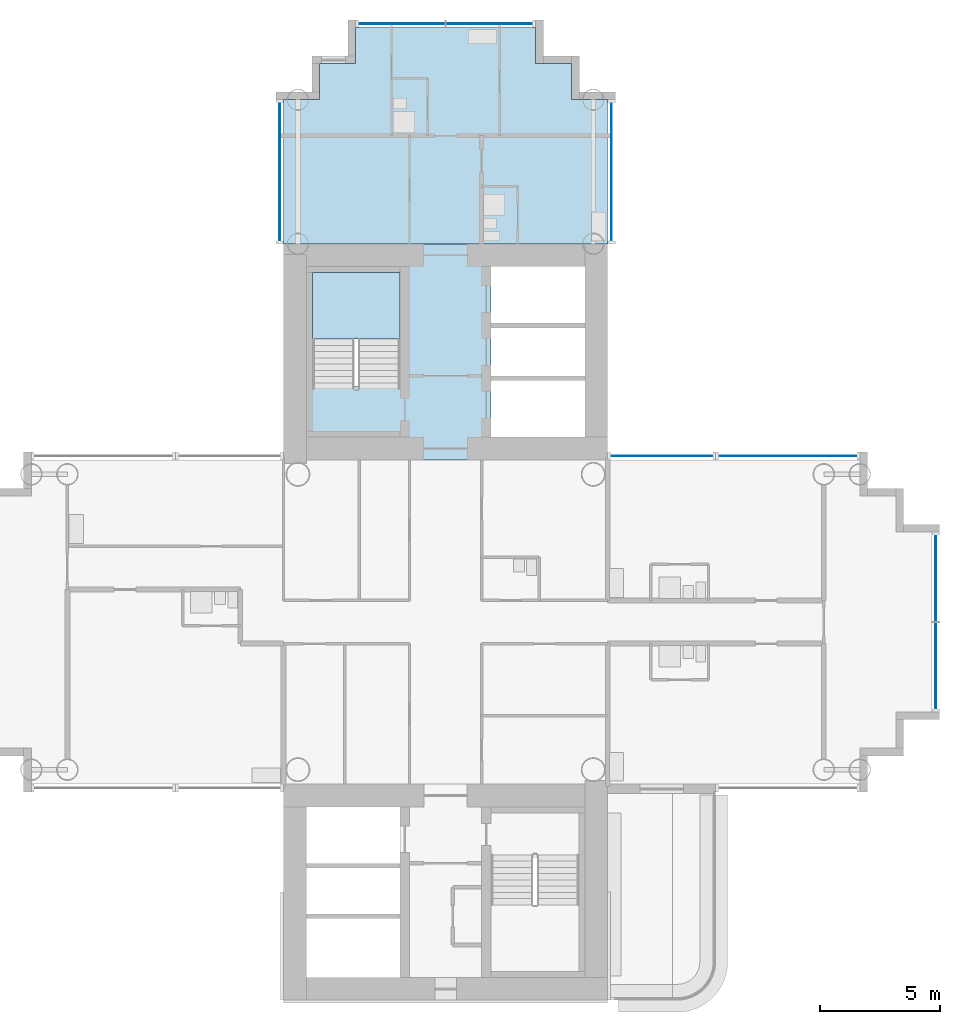
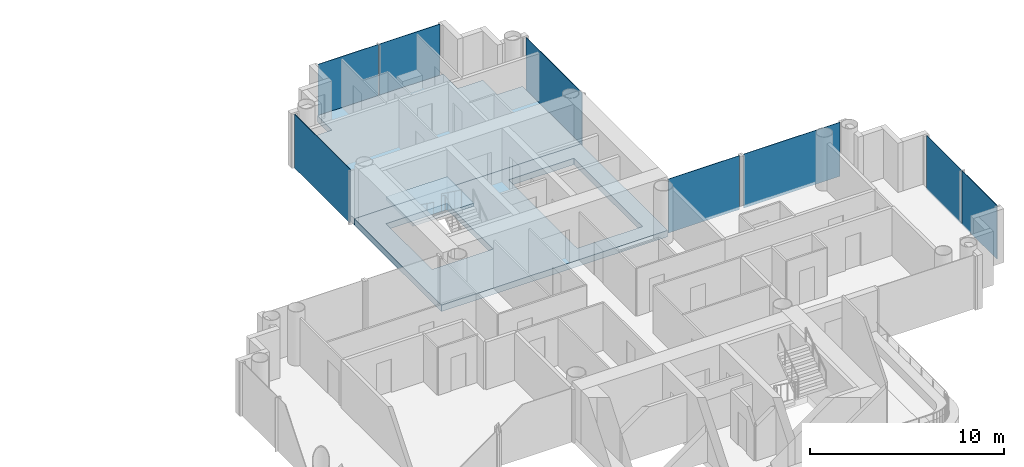
# One storey, part 8 of 22: 8 plates, 3 slabs, 7 elements without a shape of their own.
"""IFC4 building model written with IfcOpenShell, lengths in metres."""

from ifc_helpers import new_model, si_unit, direction, frame, origin, origin_2d, place, context, subcontext, project, spatial, polyline, rectangle, outline, extrude, material, layer, layer_set, type_object, element, aggregate, save


model = new_model("IFC4")

# Units and contexts
model_context = context("Model", 3, precision=1e-05, world=origin(), true_north=direction((0.0, 1.0)))
body_context = subcontext(model_context, "Body", "Model", "MODEL_VIEW")
ifc_project = project(units=[si_unit("LENGTHUNIT", "METRE"), si_unit("AREAUNIT", "SQUARE_METRE"), si_unit("VOLUMEUNIT", "CUBIC_METRE"), si_unit("PLANEANGLEUNIT", "RADIAN"), si_unit("MASSUNIT", "GRAM", prefix="KILO")], contexts=[model_context])

# Site, building, storey
site_placement = place(None, origin())
site = spatial("IfcSite", under=ifc_project, at=site_placement, CompositionType="ELEMENT")
building_placement = place(site_placement, origin())
building = spatial("IfcBuilding", under=site, at=building_placement, Name="Ipe Terrace Towers", CompositionType="ELEMENT")
storey_placement = place(building_placement, frame((0.0, 0.0, 90.199951171875)))
storey = spatial("IfcBuildingStorey", under=building, at=storey_placement, Name="L24", CompositionType="ELEMENT", Elevation=90.199951171875)

# Slab
ifc_material_1 = material(Name="Concrete C30/37", Category="concrete")
ifc_layer_1 = layer(ifc_material_1, 0.39990234375)
ifc_layer_set_1 = layer_set([ifc_layer_1], Name="CORE FLOOR SLAB 400 C30-37")
slab_type_1 = type_object("IfcSlabType", Name="CORE FLOOR SLAB 400 C30-37", PredefinedType="FLOOR", material=ifc_layer_set_1)
slab_1_placement = place(storey_placement, frame((0.0, 0.0, -0.39990234375)))
element("IfcSlab", 1, at=slab_1_placement, inside=storey, type_object=slab_type_1, Name="Core floor T2-C1", PredefinedType="FLOOR", context=body_context, shape_type="SweptSolid", body=[
    extrude(outline(polyline([(29.25, 6.75), (29.25, 15.75), (42.75, 15.75), (42.75, 6.75), (29.25, 6.75)]), holes=[polyline([(41.800048828125, 7.699951171875), (41.800048828125, 14.800048828125), (37.89990234375, 14.800048828125), (37.89990234375, 7.699951171875), (41.800048828125, 7.699951171875)]), polyline([(30.449951171875, 9.800048828125), (34.10009765625, 9.800048828125), (34.10009765625, 14.550048828125), (30.449951171875, 14.550048828125), (30.449951171875, 9.800048828125)])]), origin(), (0.0, 0.0, 1.0), 0.39990234375),
])

# Stair, slab
ifc_material_2 = material(Name="Concrete C30/37", Category="concrete")
stair_type = type_object("IfcStairType", Name="Protected exit stair", PredefinedType="HALF_TURN_STAIR", material=ifc_material_2)
stair_placement = place(storey_placement, origin())
stair = element("IfcStair", 2, at=stair_placement, inside=storey, type_object=stair_type, Name="L24 Exit stair T2-C1", PredefinedType="HALF_TURN_STAIR")
ifc_material_3 = material(Name="Concrete C30/37", Category="concrete")
ifc_layer_2 = layer(ifc_material_3, 0.199951171875)
ifc_layer_set_2 = layer_set([ifc_layer_2], Name="Exit stair landing 200")
slab_type_2 = type_object("IfcSlabType", Name="Exit stair landing 200", PredefinedType="LANDING", material=ifc_layer_set_2)
slab_2_placement = place(storey_placement, frame((0.0, 0.0, 1.5)))
slab_2 = element("IfcSlab", 3, at=slab_2_placement, type_object=slab_type_2, Name="T2-ST1 landing 1", PredefinedType="LANDING", context=body_context, shape_type="SweptSolid", body=[
    extrude(outline(polyline([(34.10009765625, 11.780029296875), (34.10009765625, 14.550048828125), (30.449951171875, 14.550048828125), (30.449951171875, 11.780029296875), (34.10009765625, 11.780029296875)])), origin(), (0.0, 0.0, 1.0), 0.199951171875),
])
aggregate(stair, [slab_2])

# Slab
ifc_material_4 = material(Name="Concrete C40/50", Category="concrete")
ifc_layer_3 = layer(ifc_material_4, 0.39990234375)
ifc_layer_set_3 = layer_set([ifc_layer_3], Name="FLAT PLATE SLAB 400 C40-50")
slab_type_3 = type_object("IfcSlabType", Name="FLAT PLATE SLAB 400 C40-50", PredefinedType="FLOOR", material=ifc_layer_set_3)
slab_3_placement = place(storey_placement, frame((0.0, 0.0, -0.39990234375)))
element("IfcSlab", 4, at=slab_3_placement, inside=storey, type_object=slab_type_3, Name="Slab T2-FS-Z22", PredefinedType="FLOOR", context=body_context, shape_type="SweptSolid", body=[
    extrude(outline(polyline([(30.75, 21.75), (30.75, 23.25), (32.25, 23.25), (32.25, 24.75), (39.75, 24.75), (39.75, 23.25), (41.25, 23.25), (41.25, 21.75), (42.75, 21.75), (42.75, 15.75), (29.25, 15.75), (29.25, 21.75), (30.75, 21.75)])), origin(), (0.0, 0.0, 1.0), 0.39990234375),
])

# Curtain wall, plates
ifc_material_5 = material(Name="Aluminium alloy 6063-T6", Category="aluminium")
ifc_layer_4 = layer(ifc_material_5, 0.320068359375)
ifc_layer_set_4 = layer_set([ifc_layer_4], Name="TOWER UNITISED CURTAIN WALL")
curtain_wall_type = type_object("IfcCurtainWallType", Name="TOWER UNITISED CURTAIN WALL", PredefinedType="NOTDEFINED", material=ifc_layer_set_4)
curtain_wall_1_placement = place(storey_placement, origin())
curtain_wall_1 = element("IfcCurtainWall", 5, at=curtain_wall_1_placement, inside=storey, type_object=curtain_wall_type, Name="T2-CW-L24-08a curtain wall", PredefinedType="NOTDEFINED")
ifc_material_6 = material(Name="Glass, clear laminated", Category="glass")
ifc_layer_5 = layer(ifc_material_6, 0.031982421875)
ifc_layer_set_5 = layer_set([ifc_layer_5], Name="TOWER UNITISED GLASS PANEL 32")
plate_type = type_object("IfcPlateType", Name="TOWER UNITISED GLASS PANEL 32", PredefinedType="CURTAIN_PANEL", material=ifc_layer_set_5)
plate_1_placement = place(storey_placement, frame((56.409912109375, -1.831298828125, -0.2998046875), z_axis=(0.0, 0.0, 1.0), x_axis=(0.0, 1.0, 0.0)))
plate_1 = element("IfcPlate", 6, at=plate_1_placement, type_object=plate_type, Name="T2-CW-L24-08a panel 1", PredefinedType="CURTAIN_PANEL", context=body_context, shape_type="SweptSolid", body=[
    extrude(rectangle(XDim=3.597412109375, YDim=0.031982421875, at=origin_2d()), origin(), (0.0, 0.0, 1.0), 3.39990234375),
])
plate_2_placement = place(storey_placement, frame((56.409912109375, 1.831298828125, -0.2998046875), z_axis=(0.0, 0.0, 1.0), x_axis=(0.0, 1.0, 0.0)))
plate_2 = element("IfcPlate", 7, at=plate_2_placement, type_object=plate_type, Name="T2-CW-L24-08a panel 2", PredefinedType="CURTAIN_PANEL", context=body_context, shape_type="SweptSolid", body=[
    extrude(rectangle(XDim=3.597412109375, YDim=0.031982421875, at=origin_2d()), origin(), (0.0, 0.0, 1.0), 3.39990234375),
])
aggregate(curtain_wall_1, [plate_1, plate_2])

# Curtain wall, plate
curtain_wall_2_placement = place(storey_placement, origin())
curtain_wall_2 = element("IfcCurtainWall", 8, at=curtain_wall_2_placement, inside=storey, type_object=curtain_wall_type, Name="T2-CW-L24-13a curtain wall", PredefinedType="NOTDEFINED")
plate_3_placement = place(storey_placement, frame((50.25, 6.909912109375, -0.2998046875), z_axis=(0.0, 0.0, 1.0), x_axis=(-1.0, 0.0, 0.0)))
plate_3 = element("IfcPlate", 9, at=plate_3_placement, type_object=plate_type, Name="T2-CW-L24-13a panel 1", PredefinedType="CURTAIN_PANEL", context=body_context, shape_type="SweptSolid", body=[
    extrude(rectangle(XDim=5.760009765625, YDim=0.031982421875, at=origin_2d()), origin(), (0.0, 0.0, 1.0), 3.39990234375),
])
aggregate(curtain_wall_2, [plate_3])

curtain_wall_3_placement = place(storey_placement, origin())
curtain_wall_3 = element("IfcCurtainWall", 10, at=curtain_wall_3_placement, inside=storey, type_object=curtain_wall_type, Name="T2-CW-L24-14a curtain wall", PredefinedType="NOTDEFINED")
plate_4_placement = place(storey_placement, frame((45.0, 6.909912109375, -0.2998046875), z_axis=(0.0, 0.0, 1.0), x_axis=(-1.0, 0.0, 0.0)))
plate_4 = element("IfcPlate", 11, at=plate_4_placement, type_object=plate_type, Name="T2-CW-L24-14a panel 1", PredefinedType="CURTAIN_PANEL", context=body_context, shape_type="SweptSolid", body=[
    extrude(rectangle(XDim=4.260009765625, YDim=0.031982421875, at=origin_2d()), origin(), (0.0, 0.0, 1.0), 3.39990234375),
])
aggregate(curtain_wall_3, [plate_4])

curtain_wall_4_placement = place(storey_placement, origin())
curtain_wall_4 = element("IfcCurtainWall", 12, at=curtain_wall_4_placement, inside=storey, type_object=curtain_wall_type, Name="T2-CW-L24-16b curtain wall", PredefinedType="NOTDEFINED")
plate_5_placement = place(storey_placement, frame((42.909912109375, 18.75048828125, -0.2998046875), z_axis=(0.0, 0.0, 1.0), x_axis=(0.0, 1.0, 0.0)))
plate_5 = element("IfcPlate", 13, at=plate_5_placement, type_object=plate_type, Name="T2-CW-L24-16b panel 1", PredefinedType="CURTAIN_PANEL", context=body_context, shape_type="SweptSolid", body=[
    extrude(rectangle(XDim=5.759033203125, YDim=0.031982421875, at=origin_2d()), origin(), (0.0, 0.0, 1.0), 3.39990234375),
])
aggregate(curtain_wall_4, [plate_5])

# Curtain wall, plates
curtain_wall_5_placement = place(storey_placement, origin())
curtain_wall_5 = element("IfcCurtainWall", 14, at=curtain_wall_5_placement, inside=storey, type_object=curtain_wall_type, Name="T2-CW-L24-21a curtain wall", PredefinedType="NOTDEFINED")
plate_6_placement = place(storey_placement, frame((37.831298828125, 24.909912109375, -0.2998046875), z_axis=(0.0, 0.0, 1.0), x_axis=(-1.0, 0.0, 0.0)))
plate_6 = element("IfcPlate", 15, at=plate_6_placement, type_object=plate_type, Name="T2-CW-L24-21a panel 1", PredefinedType="CURTAIN_PANEL", context=body_context, shape_type="SweptSolid", body=[
    extrude(rectangle(XDim=3.597412109375, YDim=0.031982421875, at=origin_2d()), origin(), (0.0, 0.0, 1.0), 3.39990234375),
])
plate_7_placement = place(storey_placement, frame((34.168701171875, 24.909912109375, -0.2998046875), z_axis=(0.0, 0.0, 1.0), x_axis=(-1.0, 0.0, 0.0)))
plate_7 = element("IfcPlate", 16, at=plate_7_placement, type_object=plate_type, Name="T2-CW-L24-21a panel 2", PredefinedType="CURTAIN_PANEL", context=body_context, shape_type="SweptSolid", body=[
    extrude(rectangle(XDim=3.597412109375, YDim=0.031982421875, at=origin_2d()), origin(), (0.0, 0.0, 1.0), 3.39990234375),
])
aggregate(curtain_wall_5, [plate_6, plate_7])

# Curtain wall, plate
curtain_wall_6_placement = place(storey_placement, origin())
curtain_wall_6 = element("IfcCurtainWall", 17, at=curtain_wall_6_placement, inside=storey, type_object=curtain_wall_type, Name="T2-CW-L24-26a curtain wall", PredefinedType="NOTDEFINED")
plate_8_placement = place(storey_placement, frame((29.090087890625, 18.75048828125, -0.2998046875), z_axis=(0.0, 0.0, 1.0), x_axis=(0.0, -1.0, 0.0)))
plate_8 = element("IfcPlate", 18, at=plate_8_placement, type_object=plate_type, Name="T2-CW-L24-26a panel 1", PredefinedType="CURTAIN_PANEL", context=body_context, shape_type="SweptSolid", body=[
    extrude(rectangle(XDim=5.759033203125, YDim=0.031982421875, at=origin_2d()), origin(), (0.0, 0.0, 1.0), 3.39990234375),
])
aggregate(curtain_wall_6, [plate_8])

save(model, "model.ifc")
